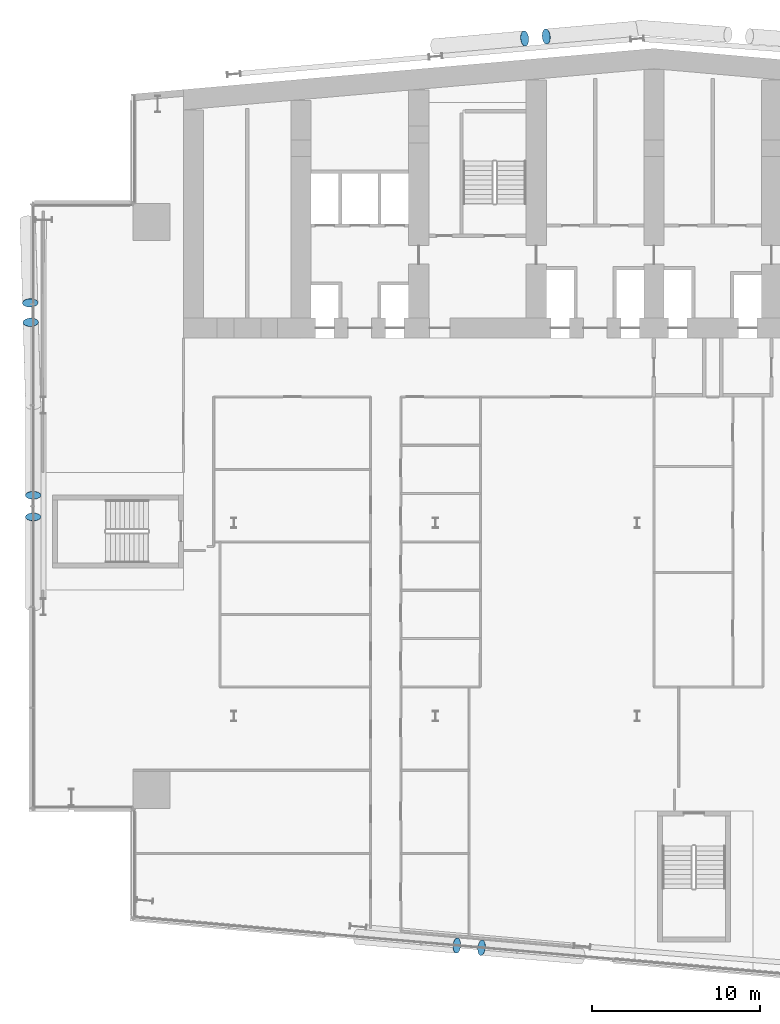
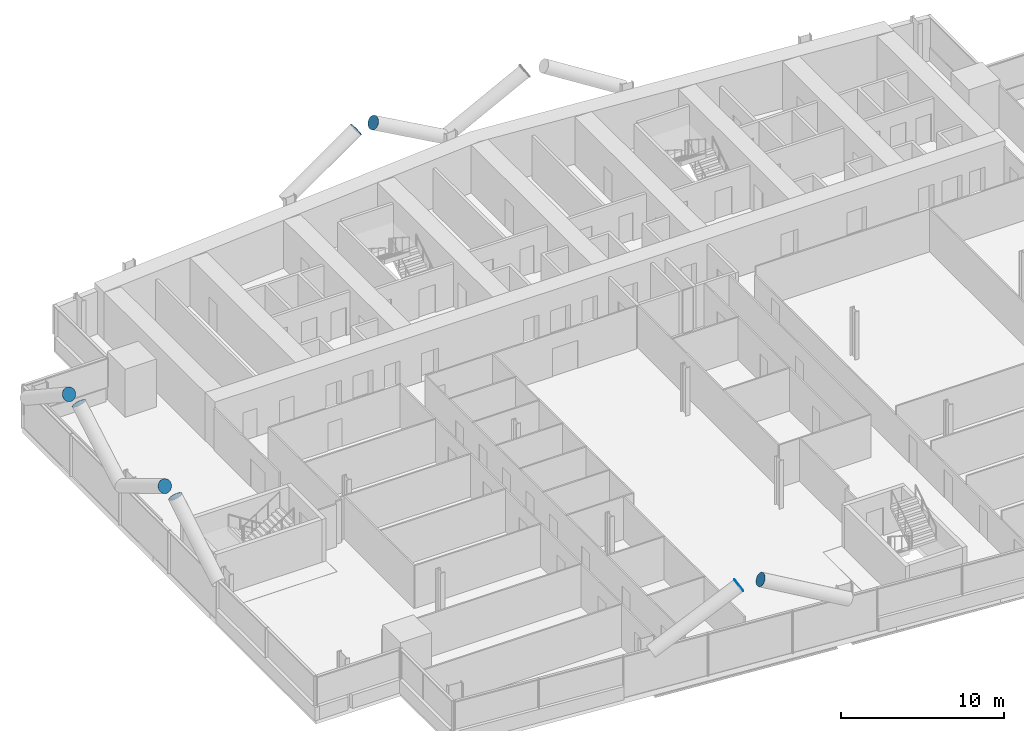
# One storey, part 21 of 27: 8 discrete accessories.
"""IFC4 building model written with IfcOpenShell, lengths in metres."""

from ifc_helpers import new_model, si_unit, direction, frame, origin, origin_2d, place, context, subcontext, project, spatial, circle, extrude, material, material_profile, profile_set, type_object, element, save


model = new_model("IFC4")

# Units and contexts
model_context = context("Model", 3, precision=1e-05, world=origin(), true_north=direction((0.0, 1.0)))
body_context = subcontext(model_context, "Body", "Model", "MODEL_VIEW")
ifc_project = project(units=[si_unit("LENGTHUNIT", "METRE"), si_unit("AREAUNIT", "SQUARE_METRE"), si_unit("VOLUMEUNIT", "CUBIC_METRE"), si_unit("PLANEANGLEUNIT", "RADIAN"), si_unit("MASSUNIT", "GRAM", prefix="KILO")], contexts=[model_context])

# Site, building, storey
site_placement = place(None, origin())
site = spatial("IfcSite", under=ifc_project, at=site_placement, CompositionType="ELEMENT")
building_placement = place(site_placement, origin())
building = spatial("IfcBuilding", under=site, at=building_placement, Name="Wharfspan Tower", CompositionType="ELEMENT")
storey_placement = place(building_placement, frame((0.0, 0.0, 81.100098)))
storey = spatial("IfcBuildingStorey", under=building, at=storey_placement, Name="L17", CompositionType="ELEMENT", Elevation=81.100098)

# Discrete accessories
ifc_material = material(Name="Steel S460NH", Category="steel")
ifc_material_profile = material_profile(ifc_material, circle(Radius=0.457031, at=origin_2d()))
ifc_profile_set = profile_set([ifc_material_profile], Name="Steel S460NH")
discrete_accessory_type = type_object("IfcDiscreteAccessoryType", Name="End plate CHS 914x40", PredefinedType="BRACKET", material=ifc_profile_set)
for number, where, z_axis, x_axis, name in (
    (1, (25.263184, -2.155029, 6.099365), (0.871847, -0.072654, 0.484359), (0.083044, 0.996547, 3e-06), "End plate CHS 914x40"),
    (2, (26.746338, -2.284912, 6.099365), (-0.870063, 0.096674, 0.483368), (-0.110432, -0.993885, 0.0), "End plate CHS 914x40"),
):
    element("IfcDiscreteAccessory", number, at=place(storey_placement, frame(where, z_axis=z_axis, x_axis=x_axis)), inside=storey, type_object=discrete_accessory_type, Name=name, PredefinedType="BRACKET", context=body_context, shape_type="SweptSolid", body=[
        extrude(circle(Radius=0.457031, at=origin_2d()), origin(), (0.0, 0.0, 1.0), 0.01001),
    ])
for number, where, z_axis, x_axis, name in (
    (3, (0.054932, 24.649902, 6.110107), (0.0, -0.863779, 0.503871), (1.0, 0.0, 0.0), "End plate CHS 914x40"),
    (4, (0.054932, 23.350098, 6.110107), (0.0, 0.863779, 0.503871), (-1.0, 0.0, 0.0), "End plate CHS 914x40"),
):
    element("IfcDiscreteAccessory", number, at=place(storey_placement, frame(where, z_axis=z_axis, x_axis=x_axis)), inside=storey, type_object=discrete_accessory_type, Name=name, PredefinedType="BRACKET", context=body_context, shape_type="SweptSolid", body=[
        extrude(circle(Radius=0.457031, at=origin_2d()), origin(), (0.0, 0.0, 1.0), 0.010254),
    ])
for number, where, z_axis, x_axis, name in (
    (5, (-0.126465, 36.100586, 6.119141), (0.024686, -0.839314, 0.543086), (0.999566, 0.0294, 1e-06), "End plate CHS 914x40"),
    (6, (-0.091797, 34.933594, 6.119141), (-0.024686, 0.839314, 0.543086), (-0.999566, -0.0294, 1e-06), "End plate CHS 914x40"),
    (7, (29.296875, 51.831055, 6.109619), (0.855186, 0.073302, 0.513112), (-0.085402, 0.996345, 1e-06), "End plate CHS 914x40"),
    (8, (30.597656, 51.944824, 6.109619), (-0.855186, -0.073302, 0.513112), (0.085402, -0.996345, 1e-06), "End plate CHS 914x40"),
):
    element("IfcDiscreteAccessory", number, at=place(storey_placement, frame(where, z_axis=z_axis, x_axis=x_axis)), inside=storey, type_object=discrete_accessory_type, Name=name, PredefinedType="BRACKET", context=body_context, shape_type="SweptSolid", body=[
        extrude(circle(Radius=0.457031, at=origin_2d()), origin(), (0.0, 0.0, 1.0), 0.01001),
    ])

save(model, "model.ifc")
